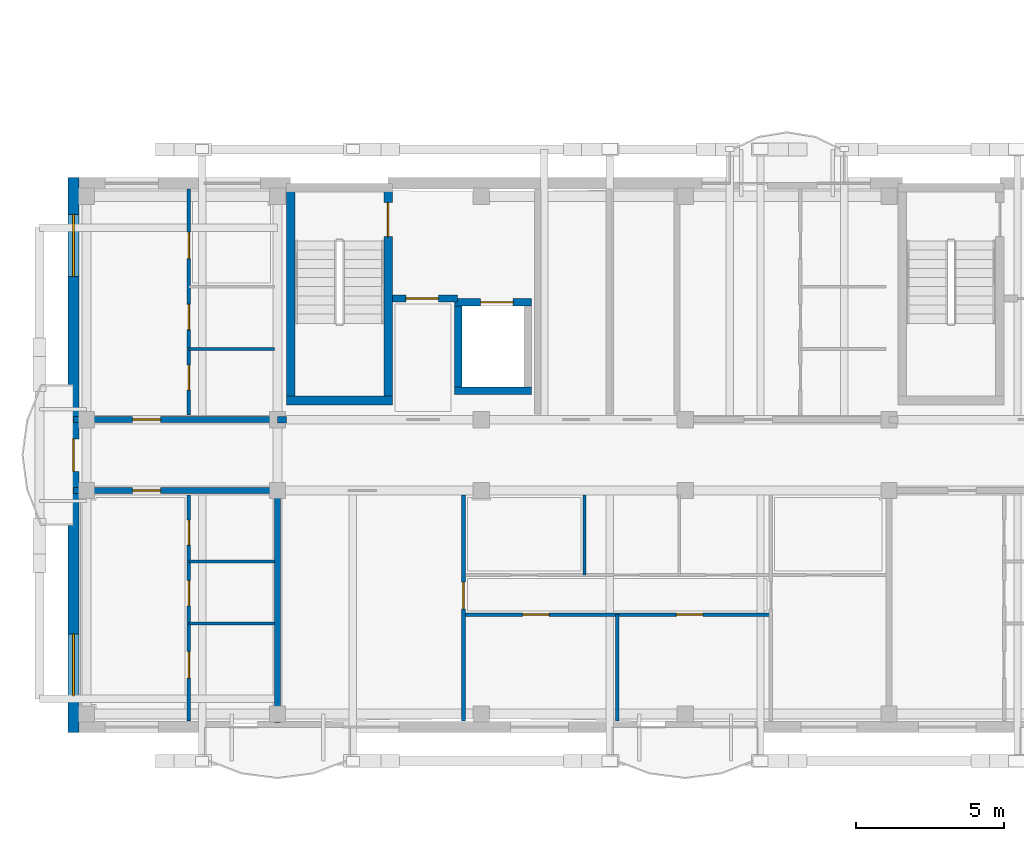
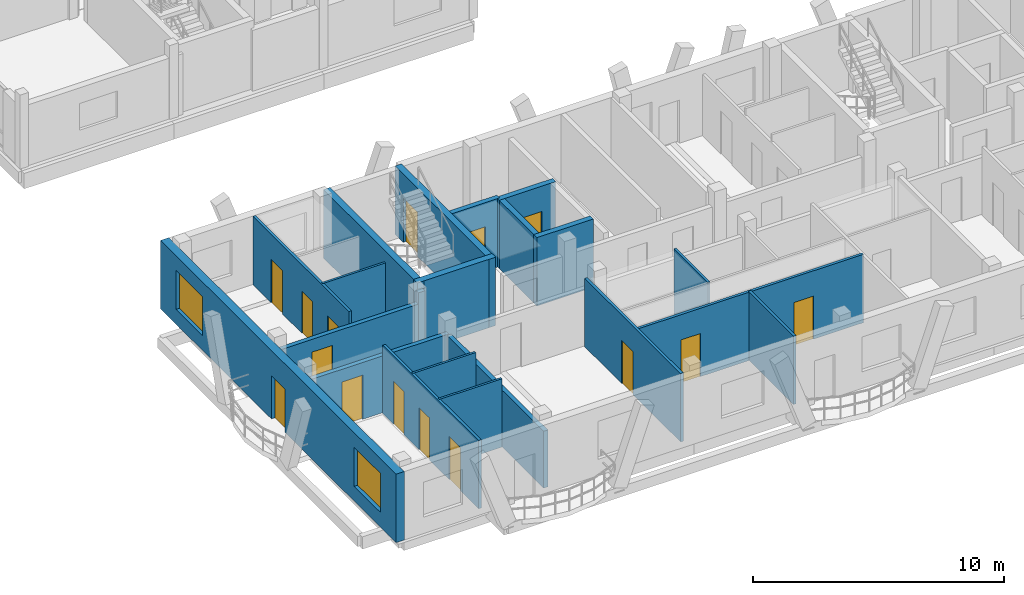
# One storey, part 141 of 189: 21 walls, 15 doors, 2 windows, 17 openings.
"""IFC4 building model written with IfcOpenShell, lengths in metres."""

from ifc_helpers import new_model, si_unit, direction, frame, frame_2d, origin, origin_with_axes, place, context, subcontext, project, spatial, rectangle, extrude, material, layer, layer_set, type_object, element, fill, save


model = new_model("IFC4")

# Units and contexts
model_context = context("Model", 3, precision=1e-05, world=origin(), true_north=direction((0.0, 1.0)))
body_context = subcontext(model_context, "Body", "Model", "MODEL_VIEW")
ifc_project = project(units=[si_unit("LENGTHUNIT", "METRE"), si_unit("AREAUNIT", "SQUARE_METRE"), si_unit("VOLUMEUNIT", "CUBIC_METRE"), si_unit("PLANEANGLEUNIT", "RADIAN"), si_unit("MASSUNIT", "GRAM", prefix="KILO")], contexts=[model_context])

# Site, building, storey
site_placement = place(None, origin())
site = spatial("IfcSite", under=ifc_project, at=site_placement, CompositionType="ELEMENT")
building_placement = place(site_placement, origin())
building = spatial("IfcBuilding", under=site, at=building_placement, Name="Zavelmont Quarter", CompositionType="ELEMENT")
storey_placement = place(building_placement, frame((0.0, 0.0, 4.39990234375)))
storey = spatial("IfcBuildingStorey", under=building, at=storey_placement, Name="L01", CompositionType="ELEMENT", Elevation=4.39990234375)

# Wall, openings, door, windows
ifc_material_1 = material(Name="Natural Belgian limestone", Category="masonry")
ifc_layer_1 = layer(ifc_material_1, 0.3798828125)
ifc_layer_set_1 = layer_set([ifc_layer_1], Name="Natural Belgian limestone")
wall_type_1 = type_object("IfcWallType", Name="EW01", PredefinedType="STANDARD", material=ifc_layer_set_1)
wall_1_placement = place(storey_placement, frame((0.0, -0.18994140625, 0.0), z_axis=(0.0, 0.0, 1.0), x_axis=(0.0, 1.0, 0.0)))
wall_1 = element("IfcWall", 1, at=wall_1_placement, inside=storey, type_object=wall_type_1, Name="L01 exterior limestone wall EW01", PredefinedType="STANDARD", context=body_context, shape_type="SweptSolid", body=[
    extrude(rectangle(XDim=18.780029296875, YDim=0.3798828125, at=frame_2d((9.39013671875, 0.0))), origin(), (0.0, 0.0, 1.0), 3.330078125),
])
opening_1_placement = place(wall_1_placement, frame((8.840087890625, 0.0, 0.0)))
opening_1 = element("IfcOpeningElement", 2, at=opening_1_placement, cuts=wall_1, Name="Opening DR04B", PredefinedType="OPENING", context=body_context, shape_type="SweptSolid", body=[
    extrude(rectangle(XDim=1.10009765625, YDim=2.10009765625, at=frame_2d((0.550048828125, 1.050048828125))), frame((0.0, 0.201904296875, 0.0), z_axis=(0.0, -1.0, 0.0), x_axis=(1.0, 0.0, 0.0)), (0.0, 0.0, 1.0), 0.40380859375),
])
opening_2_placement = place(wall_1_placement, frame((1.239990234375, 0.0, 0.719970703125)))
opening_2 = element("IfcOpeningElement", 3, at=opening_2_placement, cuts=wall_1, Name="Opening WN05", PredefinedType="OPENING", context=body_context, shape_type="SweptSolid", body=[
    extrude(rectangle(XDim=2.10009765625, YDim=1.89990234375, at=frame_2d((1.050048828125, 0.949951171875))), frame((0.0, 0.201904296875, 0.0), z_axis=(0.0, -1.0, 0.0), x_axis=(1.0, 0.0, 0.0)), (0.0, 0.0, 1.0), 0.40380859375),
])
opening_3_placement = place(wall_1_placement, frame((15.43994140625, 0.0, 0.719970703125)))
opening_3 = element("IfcOpeningElement", 4, at=opening_3_placement, cuts=wall_1, Name="Opening WN05", PredefinedType="OPENING", context=body_context, shape_type="SweptSolid", body=[
    extrude(rectangle(XDim=2.10009765625, YDim=1.89990234375, at=frame_2d((1.050048828125, 0.949951171875))), frame((0.0, 0.201904296875, 0.0), z_axis=(0.0, -1.0, 0.0), x_axis=(1.0, 0.0, 0.0)), (0.0, 0.0, 1.0), 0.40380859375),
])
ifc_material_2 = material(Name="Thermally broken aluminium and double safety glass", Category="aluminium")
door_type_1 = type_object("IfcDoorType", Name="DR04B", OperationType="NOTDEFINED", PredefinedType="DOOR", material=ifc_material_2)
door_1_placement = place(opening_1_placement, frame((1.10009765625, 0.0, 0.0), z_axis=(0.0, 0.0, 1.0), x_axis=(-1.0, 0.0, 0.0)))
door_1 = element("IfcDoor", 5, at=door_1_placement, inside=storey, type_object=door_type_1, Name="Block A L01 terrace or vase balcony door", OperationType="SINGLE_SWING_LEFT", OverallHeight=2.10009765625, OverallWidth=1.10009765625, PredefinedType="DOOR", context=body_context, shape_type="SweptSolid", body=[
    extrude(rectangle(XDim=1.10009765625, YDim=2.10009765625, at=frame_2d((0.550048828125, 1.050048828125))), frame((0.0, 0.02490234375, 0.0), z_axis=(0.0, -1.0, 0.0), x_axis=(1.0, 0.0, 0.0)), (0.0, 0.0, 1.0), 0.050048828125),
])
fill(opening_1, door_1)
ifc_material_3 = material(Name="Double low-E insulated glazing in thermally broken aluminium frame", Category="aluminium")
window_type = type_object("IfcWindowType", Name="WN05", PartitioningType="SINGLE_PANEL", PredefinedType="WINDOW", material=ifc_material_3)
window_1_placement = place(opening_2_placement, origin_with_axes())
window_1 = element("IfcWindow", 6, at=window_1_placement, inside=storey, type_object=window_type, Name="L01 window WN05", OverallHeight=1.89990234375, OverallWidth=2.10009765625, PartitioningType="SINGLE_PANEL", PredefinedType="WINDOW", context=body_context, shape_type="SweptSolid", body=[
    extrude(rectangle(XDim=2.10009765625, YDim=1.89990234375, at=frame_2d((1.050048828125, 0.949951171875))), frame((0.0, 0.030029296875, 0.0), z_axis=(0.0, -1.0, 0.0), x_axis=(1.0, 0.0, 0.0)), (0.0, 0.0, 1.0), 0.06005859375),
])
fill(opening_2, window_1)
window_2_placement = place(opening_3_placement, origin_with_axes())
window_2 = element("IfcWindow", 7, at=window_2_placement, inside=storey, type_object=window_type, Name="L01 window WN05", OverallHeight=1.89990234375, OverallWidth=2.10009765625, PartitioningType="SINGLE_PANEL", PredefinedType="WINDOW", context=body_context, shape_type="SweptSolid", body=[
    extrude(rectangle(XDim=2.10009765625, YDim=1.89990234375, at=frame_2d((1.050048828125, 0.949951171875))), frame((0.0, 0.030029296875, 0.0), z_axis=(0.0, -1.0, 0.0), x_axis=(1.0, 0.0, 0.0)), (0.0, 0.0, 1.0), 0.06005859375),
])
fill(opening_3, window_2)

# Wall
ifc_material_4 = material(Name="Calcium-silicate blockwork and acoustic plaster", Category="masonry")
ifc_layer_2 = layer(ifc_material_4, 0.199951171875)
ifc_layer_set_2 = layer_set([ifc_layer_2], Name="Calcium-silicate blockwork and acoustic plaster")
wall_type_2 = type_object("IfcWallType", Name="IW01", PredefinedType="PARTITIONING", material=ifc_layer_set_2)
wall_2_placement = place(storey_placement, frame((6.89990234375, 7.85009765625, 0.0), z_axis=(0.0, 0.0, 1.0), x_axis=(0.0, -1.0, 0.0)))
element("IfcWall", 8, at=wall_2_placement, inside=storey, type_object=wall_type_2, Name="L01 Inter-dwelling compartment wall IW01", PredefinedType="PARTITIONING", context=body_context, shape_type="SweptSolid", body=[
    extrude(rectangle(XDim=7.7001953125, YDim=0.199951171875, at=frame_2d((3.85009765625, 0.0))), origin(), (0.0, 0.0, 1.0), 2.77001953125),
])

# Wall, opening, door
wall_3_placement = place(storey_placement, frame((0.0, 8.0, 0.0), z_axis=(0.0, 0.0, 1.0), x_axis=(1.0, 0.0, 0.0)))
wall_3 = element("IfcWall", 9, at=wall_3_placement, inside=storey, type_object=wall_type_2, Name="L01 Corridor compartment wall IW01", PredefinedType="PARTITIONING", context=body_context, shape_type="SweptSolid", body=[
    extrude(rectangle(XDim=6.89990234375, YDim=0.199951171875, at=frame_2d((3.449951171875, 0.0))), origin(), (0.0, 0.0, 1.0), 2.77001953125),
])
opening_4_placement = place(wall_3_placement, frame((2.0, 0.0, 0.0)))
opening_4 = element("IfcOpeningElement", 10, at=opening_4_placement, cuts=wall_3, Name="Opening DR02", PredefinedType="OPENING", context=body_context, shape_type="SweptSolid", body=[
    extrude(rectangle(XDim=0.949951171875, YDim=2.14990234375, at=frame_2d((0.47509765625, 1.074951171875))), frame((0.0, 0.11181640625, 0.0), z_axis=(0.0, -1.0, 0.0), x_axis=(1.0, 0.0, 0.0)), (0.0, 0.0, 1.0), 0.223876953125),
])
ifc_material_5 = material(Name="Solid-core oak fire leaf in steel frame", Category="steel")
door_type_2 = type_object("IfcDoorType", Name="DR02", OperationType="NOTDEFINED", PredefinedType="DOOR", material=ifc_material_5)
door_2_placement = place(opening_4_placement, frame((0.949951171875, 0.0, 0.0), z_axis=(0.0, 0.0, 1.0), x_axis=(-1.0, 0.0, 0.0)))
door_2 = element("IfcDoor", 11, at=door_2_placement, inside=storey, type_object=door_type_2, Name="L01 door DR02", OperationType="SINGLE_SWING_LEFT", OverallHeight=2.14990234375, OverallWidth=0.949951171875, PredefinedType="DOOR", context=body_context, shape_type="SweptSolid", body=[
    extrude(rectangle(XDim=0.949951171875, YDim=2.14990234375, at=frame_2d((0.47509765625, 1.074951171875))), frame((0.0, 0.02490234375, 0.0), z_axis=(0.0, -1.0, 0.0), x_axis=(1.0, 0.0, 0.0)), (0.0, 0.0, 1.0), 0.050048828125),
])
fill(opening_4, door_2)

wall_4_placement = place(storey_placement, frame((0.0, 10.39990234375, 0.0), z_axis=(0.0, 0.0, 1.0), x_axis=(1.0, 0.0, 0.0)))
wall_4 = element("IfcWall", 12, at=wall_4_placement, inside=storey, type_object=wall_type_2, Name="L01 Corridor compartment wall IW01", PredefinedType="PARTITIONING", context=body_context, shape_type="SweptSolid", body=[
    extrude(rectangle(XDim=6.89990234375, YDim=0.199951171875, at=frame_2d((3.449951171875, 0.0))), origin(), (0.0, 0.0, 1.0), 2.77001953125),
])
opening_5_placement = place(wall_4_placement, frame((2.0, 0.0, 0.0)))
opening_5 = element("IfcOpeningElement", 13, at=opening_5_placement, cuts=wall_4, Name="Opening DR02", PredefinedType="OPENING", context=body_context, shape_type="SweptSolid", body=[
    extrude(rectangle(XDim=0.949951171875, YDim=2.14990234375, at=frame_2d((0.47509765625, 1.074951171875))), frame((0.0, 0.11181640625, 0.0), z_axis=(0.0, -1.0, 0.0), x_axis=(1.0, 0.0, 0.0)), (0.0, 0.0, 1.0), 0.223876953125),
])
door_3_placement = place(opening_5_placement, origin_with_axes())
door_3 = element("IfcDoor", 14, at=door_3_placement, inside=storey, type_object=door_type_2, Name="L01 door DR02", OperationType="SINGLE_SWING_RIGHT", OverallHeight=2.14990234375, OverallWidth=0.949951171875, PredefinedType="DOOR", context=body_context, shape_type="SweptSolid", body=[
    extrude(rectangle(XDim=0.949951171875, YDim=2.14990234375, at=frame_2d((0.47509765625, 1.074951171875))), frame((0.0, 0.02490234375, 0.0), z_axis=(0.0, -1.0, 0.0), x_axis=(1.0, 0.0, 0.0)), (0.0, 0.0, 1.0), 0.050048828125),
])
fill(opening_5, door_3)

ifc_material_6 = material(Name="Reinforced masonry fire compartment wall", Category="masonry")
ifc_layer_3 = layer(ifc_material_6, 0.22509765625)
ifc_layer_set_3 = layer_set([ifc_layer_3], Name="Reinforced masonry fire compartment wall")
wall_type_3 = type_object("IfcWallType", Name="IW02", PredefinedType="PARTITIONING", material=ifc_layer_set_3)
wall_5_placement = place(storey_placement, frame((10.800048828125, 14.5, 0.0), z_axis=(0.0, 0.0, 1.0), x_axis=(1.0, 0.0, 0.0)))
wall_5 = element("IfcWall", 15, at=wall_5_placement, inside=storey, type_object=wall_type_3, Name="L01 Firefighting lobby threshold wall IW02", PredefinedType="PARTITIONING", context=body_context, shape_type="SweptSolid", body=[
    extrude(rectangle(XDim=2.199951171875, YDim=0.22509765625, at=frame_2d((1.10009765625, 0.0))), origin(), (0.0, 0.0, 1.0), 3.330078125),
])
opening_6_placement = place(wall_5_placement, frame((0.449951171875, 0.0, 0.0)))
opening_6 = element("IfcOpeningElement", 16, at=opening_6_placement, cuts=wall_5, Name="Opening DR10", PredefinedType="OPENING", context=body_context, shape_type="SweptSolid", body=[
    extrude(rectangle(XDim=1.10009765625, YDim=2.14990234375, at=frame_2d((0.550048828125, 1.074951171875))), frame((0.0, 0.12451171875, 0.0), z_axis=(0.0, -1.0, 0.0), x_axis=(1.0, 0.0, 0.0)), (0.0, 0.0, 1.0), 0.2490234375),
])
ifc_material_7 = material(Name="Painted steel lobby fire door", Category="steel")
door_type_3 = type_object("IfcDoorType", Name="DR10", OperationType="NOTDEFINED", PredefinedType="DOOR", material=ifc_material_7)
door_4_placement = place(opening_6_placement, origin_with_axes())
door_4 = element("IfcDoor", 17, at=door_4_placement, inside=storey, type_object=door_type_3, Name="Firefighting lobby fire door", OperationType="SINGLE_SWING_LEFT", OverallHeight=2.14990234375, OverallWidth=1.10009765625, PredefinedType="DOOR", context=body_context, shape_type="SweptSolid", body=[
    extrude(rectangle(XDim=1.10009765625, YDim=2.14990234375, at=frame_2d((0.550048828125, 1.074951171875))), frame((0.0, 0.02490234375, 0.0), z_axis=(0.0, -1.0, 0.0), x_axis=(1.0, 0.0, 0.0)), (0.0, 0.0, 1.0), 0.050048828125),
])
fill(opening_6, door_4)

# Wall
wall_6_placement = place(storey_placement, frame((6.89990234375, 10.39990234375, 0.0), z_axis=(0.0, 0.0, 1.0), x_axis=(1.0, 0.0, 0.0)))
element("IfcWall", 18, at=wall_6_placement, inside=storey, type_object=wall_type_3, Name="L01 Core corridor wall IW02", PredefinedType="PARTITIONING", context=body_context, shape_type="SweptSolid", body=[
    extrude(rectangle(XDim=0.300048828125, YDim=0.22509765625, at=frame_2d((0.14990234375, 0.0))), origin(), (0.0, 0.0, 1.0), 3.330078125),
])

# Wall, openings, doors
ifc_material_8 = material(Name="Double gypsum board on acoustic steel stud", Category="steel")
ifc_layer_4 = layer(ifc_material_8, 0.125)
ifc_layer_set_4 = layer_set([ifc_layer_4], Name="Double gypsum board on acoustic steel stud")
wall_type_4 = type_object("IfcWallType", Name="IW03", PredefinedType="PARTITIONING", material=ifc_layer_set_4)
wall_7_placement = place(storey_placement, frame((3.89990234375, 7.85009765625, 0.0), z_axis=(0.0, 0.0, 1.0), x_axis=(0.0, -1.0, 0.0)))
wall_7 = element("IfcWall", 19, at=wall_7_placement, inside=storey, type_object=wall_type_4, Name="L01 Partition IW03", PredefinedType="PARTITIONING", context=body_context, shape_type="SweptSolid", body=[
    extrude(rectangle(XDim=7.650146484375, YDim=0.125, at=frame_2d((3.8251953125, 0.0))), origin(), (0.0, 0.0, 1.0), 3.330078125),
])
opening_7_placement = place(wall_7_placement, frame((0.85009765625, 0.0, 0.0)))
opening_7 = element("IfcOpeningElement", 20, at=opening_7_placement, cuts=wall_7, Name="Opening DR16", PredefinedType="OPENING", context=body_context, shape_type="SweptSolid", body=[
    extrude(rectangle(XDim=0.85009765625, YDim=2.10009765625, at=frame_2d((0.425048828125, 1.050048828125))), frame((0.0, 0.074462890625, 0.0), z_axis=(0.0, -1.0, 0.0), x_axis=(1.0, 0.0, 0.0)), (0.0, 0.0, 1.0), 0.14892578125),
])
opening_8_placement = place(wall_7_placement, frame((2.89990234375, 0.0, 0.0)))
opening_8 = element("IfcOpeningElement", 21, at=opening_8_placement, cuts=wall_7, Name="Opening DR06", PredefinedType="OPENING", context=body_context, shape_type="SweptSolid", body=[
    extrude(rectangle(XDim=0.85009765625, YDim=2.050048828125, at=frame_2d((0.425048828125, 1.02490234375))), frame((0.0, 0.074462890625, 0.0), z_axis=(0.0, -1.0, 0.0), x_axis=(1.0, 0.0, 0.0)), (0.0, 0.0, 1.0), 0.14892578125),
])
opening_9_placement = place(wall_7_placement, frame((5.300048828125, 0.0, 0.0)))
opening_9 = element("IfcOpeningElement", 22, at=opening_9_placement, cuts=wall_7, Name="Opening DR05", PredefinedType="OPENING", context=body_context, shape_type="SweptSolid", body=[
    extrude(rectangle(XDim=0.89990234375, YDim=2.10009765625, at=frame_2d((0.449951171875, 1.050048828125))), frame((0.0, 0.074462890625, 0.0), z_axis=(0.0, -1.0, 0.0), x_axis=(1.0, 0.0, 0.0)), (0.0, 0.0, 1.0), 0.14892578125),
])
ifc_material_9 = material(Name="Engineered oak flush interior door")
door_type_4 = type_object("IfcDoorType", Name="DR05", OperationType="NOTDEFINED", PredefinedType="DOOR", material=ifc_material_9)
door_5_placement = place(opening_9_placement, origin_with_axes())
door_5 = element("IfcDoor", 23, at=door_5_placement, inside=storey, type_object=door_type_4, Name="L01 door DR05", OperationType="SINGLE_SWING_LEFT", OverallHeight=2.10009765625, OverallWidth=0.89990234375, PredefinedType="DOOR", context=body_context, shape_type="SweptSolid", body=[
    extrude(rectangle(XDim=0.89990234375, YDim=2.10009765625, at=frame_2d((0.449951171875, 1.050048828125))), frame((0.0, 0.02490234375, 0.0), z_axis=(0.0, -1.0, 0.0), x_axis=(1.0, 0.0, 0.0)), (0.0, 0.0, 1.0), 0.050048828125),
])
fill(opening_9, door_5)
ifc_material_10 = material(Name="Moisture-resistant painted wet-room door")
door_type_5 = type_object("IfcDoorType", Name="DR06", OperationType="NOTDEFINED", PredefinedType="DOOR", material=ifc_material_10)
door_6_placement = place(opening_8_placement, frame((0.85009765625, 0.0, 0.0), z_axis=(0.0, 0.0, 1.0), x_axis=(-1.0, 0.0, 0.0)))
door_6 = element("IfcDoor", 24, at=door_6_placement, inside=storey, type_object=door_type_5, Name="L01 door DR06", OperationType="SINGLE_SWING_RIGHT", OverallHeight=2.050048828125, OverallWidth=0.85009765625, PredefinedType="DOOR", context=body_context, shape_type="SweptSolid", body=[
    extrude(rectangle(XDim=0.85009765625, YDim=2.050048828125, at=frame_2d((0.425048828125, 1.02490234375))), frame((0.0, 0.02490234375, 0.0), z_axis=(0.0, -1.0, 0.0), x_axis=(1.0, 0.0, 0.0)), (0.0, 0.0, 1.0), 0.050048828125),
])
fill(opening_8, door_6)
door_type_6 = type_object("IfcDoorType", Name="DR16", OperationType="NOTDEFINED", PredefinedType="DOOR", material=ifc_material_9)
door_7_placement = place(opening_7_placement, origin_with_axes())
door_7 = element("IfcDoor", 25, at=door_7_placement, inside=storey, type_object=door_type_6, Name="L01 door DR16", OperationType="SINGLE_SWING_LEFT", OverallHeight=2.10009765625, OverallWidth=0.85009765625, PredefinedType="DOOR", context=body_context, shape_type="SweptSolid", body=[
    extrude(rectangle(XDim=0.85009765625, YDim=2.10009765625, at=frame_2d((0.425048828125, 1.050048828125))), frame((0.0, 0.02490234375, 0.0), z_axis=(0.0, -1.0, 0.0), x_axis=(1.0, 0.0, 0.0)), (0.0, 0.0, 1.0), 0.050048828125),
])
fill(opening_7, door_7)

# Wall, opening, door
wall_8_placement = place(storey_placement, frame((13.199951171875, 7.85009765625, 0.0), z_axis=(0.0, 0.0, 1.0), x_axis=(0.0, -1.0, 0.0)))
wall_8 = element("IfcWall", 26, at=wall_8_placement, inside=storey, type_object=wall_type_4, Name="L01 Partition IW03", PredefinedType="PARTITIONING", context=body_context, shape_type="SweptSolid", body=[
    extrude(rectangle(XDim=7.650146484375, YDim=0.125, at=frame_2d((3.8251953125, 0.0))), origin(), (0.0, 0.0, 1.0), 3.330078125),
])
opening_10_placement = place(wall_8_placement, frame((2.949951171875, 0.0, 0.0)))
opening_10 = element("IfcOpeningElement", 27, at=opening_10_placement, cuts=wall_8, Name="Opening DR05", PredefinedType="OPENING", context=body_context, shape_type="SweptSolid", body=[
    extrude(rectangle(XDim=0.89990234375, YDim=2.10009765625, at=frame_2d((0.449951171875, 1.050048828125))), frame((0.0, 0.074462890625, 0.0), z_axis=(0.0, -1.0, 0.0), x_axis=(1.0, 0.0, 0.0)), (0.0, 0.0, 1.0), 0.14892578125),
])
door_8_placement = place(opening_10_placement, origin_with_axes())
door_8 = element("IfcDoor", 28, at=door_8_placement, inside=storey, type_object=door_type_4, Name="L01 door DR05", OperationType="SINGLE_SWING_RIGHT", OverallHeight=2.10009765625, OverallWidth=0.89990234375, PredefinedType="DOOR", context=body_context, shape_type="SweptSolid", body=[
    extrude(rectangle(XDim=0.89990234375, YDim=2.10009765625, at=frame_2d((0.449951171875, 1.050048828125))), frame((0.0, 0.02490234375, 0.0), z_axis=(0.0, -1.0, 0.0), x_axis=(1.0, 0.0, 0.0)), (0.0, 0.0, 1.0), 0.050048828125),
])
fill(opening_10, door_8)

# Wall
wall_9_placement = place(storey_placement, frame((18.39990234375, 3.800048828125, 0.0), z_axis=(0.0, 0.0, 1.0), x_axis=(0.0, -1.0, 0.0)))
element("IfcWall", 29, at=wall_9_placement, inside=storey, type_object=wall_type_4, Name="L01 Partition IW03", PredefinedType="PARTITIONING", context=body_context, shape_type="SweptSolid", body=[
    extrude(rectangle(XDim=3.60009765625, YDim=0.125, at=frame_2d((1.800048828125, 0.0))), origin(), (0.0, 0.0, 1.0), 3.330078125),
])

# Wall, openings, doors
wall_10_placement = place(storey_placement, frame((13.199951171875, 3.800048828125, 0.0), z_axis=(0.0, 0.0, 1.0), x_axis=(1.0, 0.0, 0.0)))
wall_10 = element("IfcWall", 30, at=wall_10_placement, inside=storey, type_object=wall_type_4, Name="L01 Partition IW03", PredefinedType="PARTITIONING", context=body_context, shape_type="SweptSolid", body=[
    extrude(rectangle(XDim=10.400146484375, YDim=0.125, at=frame_2d((5.2001953125, 0.0))), origin(), (0.0, 0.0, 1.0), 3.330078125),
])
opening_11_placement = place(wall_10_placement, frame((2.0, 0.0, 0.0)))
opening_11 = element("IfcOpeningElement", 31, at=opening_11_placement, cuts=wall_10, Name="Opening DR05", PredefinedType="OPENING", context=body_context, shape_type="SweptSolid", body=[
    extrude(rectangle(XDim=0.89990234375, YDim=2.10009765625, at=frame_2d((0.449951171875, 1.050048828125))), frame((0.0, 0.074462890625, 0.0), z_axis=(0.0, -1.0, 0.0), x_axis=(1.0, 0.0, 0.0)), (0.0, 0.0, 1.0), 0.14892578125),
])
opening_12_placement = place(wall_10_placement, frame((7.199951171875, 0.0, 0.0)))
opening_12 = element("IfcOpeningElement", 32, at=opening_12_placement, cuts=wall_10, Name="Opening DR05", PredefinedType="OPENING", context=body_context, shape_type="SweptSolid", body=[
    extrude(rectangle(XDim=0.89990234375, YDim=2.10009765625, at=frame_2d((0.449951171875, 1.050048828125))), frame((0.0, 0.074462890625, 0.0), z_axis=(0.0, -1.0, 0.0), x_axis=(1.0, 0.0, 0.0)), (0.0, 0.0, 1.0), 0.14892578125),
])
door_9_placement = place(opening_11_placement, origin_with_axes())
door_9 = element("IfcDoor", 33, at=door_9_placement, inside=storey, type_object=door_type_4, Name="L01 door DR05", OperationType="SINGLE_SWING_RIGHT", OverallHeight=2.10009765625, OverallWidth=0.89990234375, PredefinedType="DOOR", context=body_context, shape_type="SweptSolid", body=[
    extrude(rectangle(XDim=0.89990234375, YDim=2.10009765625, at=frame_2d((0.449951171875, 1.050048828125))), frame((0.0, 0.02490234375, 0.0), z_axis=(0.0, -1.0, 0.0), x_axis=(1.0, 0.0, 0.0)), (0.0, 0.0, 1.0), 0.050048828125),
])
fill(opening_11, door_9)
door_10_placement = place(opening_12_placement, frame((0.89990234375, 0.0, 0.0), z_axis=(0.0, 0.0, 1.0), x_axis=(-1.0, 0.0, 0.0)))
door_10 = element("IfcDoor", 34, at=door_10_placement, inside=storey, type_object=door_type_4, Name="L01 door DR05", OperationType="SINGLE_SWING_LEFT", OverallHeight=2.10009765625, OverallWidth=0.89990234375, PredefinedType="DOOR", context=body_context, shape_type="SweptSolid", body=[
    extrude(rectangle(XDim=0.89990234375, YDim=2.10009765625, at=frame_2d((0.449951171875, 1.050048828125))), frame((0.0, 0.02490234375, 0.0), z_axis=(0.0, -1.0, 0.0), x_axis=(1.0, 0.0, 0.0)), (0.0, 0.0, 1.0), 0.050048828125),
])
fill(opening_12, door_10)

wall_11_placement = place(storey_placement, frame((3.89990234375, 10.550048828125, 0.0), z_axis=(0.0, 0.0, 1.0), x_axis=(0.0, 1.0, 0.0)))
wall_11 = element("IfcWall", 35, at=wall_11_placement, inside=storey, type_object=wall_type_4, Name="L01 Partition IW03", PredefinedType="PARTITIONING", context=body_context, shape_type="SweptSolid", body=[
    extrude(rectangle(XDim=7.64990234375, YDim=0.125, at=frame_2d((3.824951171875, 0.0))), origin(), (0.0, 0.0, 1.0), 3.330078125),
])
opening_13_placement = place(wall_11_placement, frame((0.85009765625, 0.0, 0.0)))
opening_13 = element("IfcOpeningElement", 36, at=opening_13_placement, cuts=wall_11, Name="Opening DR16", PredefinedType="OPENING", context=body_context, shape_type="SweptSolid", body=[
    extrude(rectangle(XDim=0.85009765625, YDim=2.10009765625, at=frame_2d((0.425048828125, 1.050048828125))), frame((0.0, 0.074462890625, 0.0), z_axis=(0.0, -1.0, 0.0), x_axis=(1.0, 0.0, 0.0)), (0.0, 0.0, 1.0), 0.14892578125),
])
opening_14_placement = place(wall_11_placement, frame((2.89990234375, 0.0, 0.0)))
opening_14 = element("IfcOpeningElement", 37, at=opening_14_placement, cuts=wall_11, Name="Opening DR06", PredefinedType="OPENING", context=body_context, shape_type="SweptSolid", body=[
    extrude(rectangle(XDim=0.85009765625, YDim=2.050048828125, at=frame_2d((0.425048828125, 1.02490234375))), frame((0.0, 0.074462890625, 0.0), z_axis=(0.0, -1.0, 0.0), x_axis=(1.0, 0.0, 0.0)), (0.0, 0.0, 1.0), 0.14892578125),
])
opening_15_placement = place(wall_11_placement, frame((5.300048828125, 0.0, 0.0)))
opening_15 = element("IfcOpeningElement", 38, at=opening_15_placement, cuts=wall_11, Name="Opening DR05", PredefinedType="OPENING", context=body_context, shape_type="SweptSolid", body=[
    extrude(rectangle(XDim=0.89990234375, YDim=2.10009765625, at=frame_2d((0.449951171875, 1.050048828125))), frame((0.0, 0.074462890625, 0.0), z_axis=(0.0, -1.0, 0.0), x_axis=(1.0, 0.0, 0.0)), (0.0, 0.0, 1.0), 0.14892578125),
])
door_11_placement = place(opening_15_placement, frame((0.89990234375, 0.0, 0.0), z_axis=(0.0, 0.0, 1.0), x_axis=(-1.0, 0.0, 0.0)))
door_11 = element("IfcDoor", 39, at=door_11_placement, inside=storey, type_object=door_type_4, Name="L01 door DR05", OperationType="SINGLE_SWING_RIGHT", OverallHeight=2.10009765625, OverallWidth=0.89990234375, PredefinedType="DOOR", context=body_context, shape_type="SweptSolid", body=[
    extrude(rectangle(XDim=0.89990234375, YDim=2.10009765625, at=frame_2d((0.449951171875, 1.050048828125))), frame((0.0, 0.02490234375, 0.0), z_axis=(0.0, -1.0, 0.0), x_axis=(1.0, 0.0, 0.0)), (0.0, 0.0, 1.0), 0.050048828125),
])
fill(opening_15, door_11)
door_12_placement = place(opening_14_placement, origin_with_axes())
door_12 = element("IfcDoor", 40, at=door_12_placement, inside=storey, type_object=door_type_5, Name="L01 door DR06", OperationType="SINGLE_SWING_LEFT", OverallHeight=2.050048828125, OverallWidth=0.85009765625, PredefinedType="DOOR", context=body_context, shape_type="SweptSolid", body=[
    extrude(rectangle(XDim=0.85009765625, YDim=2.050048828125, at=frame_2d((0.425048828125, 1.02490234375))), frame((0.0, 0.02490234375, 0.0), z_axis=(0.0, -1.0, 0.0), x_axis=(1.0, 0.0, 0.0)), (0.0, 0.0, 1.0), 0.050048828125),
])
fill(opening_14, door_12)
door_13_placement = place(opening_13_placement, frame((0.85009765625, 0.0, 0.0), z_axis=(0.0, 0.0, 1.0), x_axis=(-1.0, 0.0, 0.0)))
door_13 = element("IfcDoor", 41, at=door_13_placement, inside=storey, type_object=door_type_6, Name="L01 door DR16", OperationType="SINGLE_SWING_RIGHT", OverallHeight=2.10009765625, OverallWidth=0.85009765625, PredefinedType="DOOR", context=body_context, shape_type="SweptSolid", body=[
    extrude(rectangle(XDim=0.85009765625, YDim=2.10009765625, at=frame_2d((0.425048828125, 1.050048828125))), frame((0.0, 0.02490234375, 0.0), z_axis=(0.0, -1.0, 0.0), x_axis=(1.0, 0.0, 0.0)), (0.0, 0.0, 1.0), 0.050048828125),
])
fill(opening_13, door_13)

# Walls
ifc_material_11 = material(Name="Moisture-resistant gypsum board on steel stud", Category="steel")
ifc_layer_5 = layer(ifc_material_11, 0.10009765625)
ifc_layer_set_5 = layer_set([ifc_layer_5], Name="Moisture-resistant gypsum board on steel stud")
wall_type_5 = type_object("IfcWallType", Name="IW04", PredefinedType="PARTITIONING", material=ifc_layer_set_5)
for number, where, z_axis, x_axis, name in (
    (42, (3.89990234375, 5.60009765625, 0.0), (0.0, 0.0, 1.0), (1.0, 0.0, 0.0), "L01 Partition IW04"),
    (43, (3.89990234375, 3.5, 0.0), (0.0, 0.0, 1.0), (1.0, 0.0, 0.0), "L01 Partition IW04"),
):
    element("IfcWall", number, at=place(storey_placement, frame(where, z_axis=z_axis, x_axis=x_axis)), inside=storey, type_object=wall_type_5, Name=name, PredefinedType="PARTITIONING", context=body_context, shape_type="SweptSolid", body=[
        extrude(rectangle(XDim=2.900146484375, YDim=0.10009765625, at=frame_2d((1.4501953125, 0.0))), origin(), (0.0, 0.0, 1.0), 3.330078125),
    ])
wall_12_placement = place(storey_placement, frame((17.300048828125, 7.85009765625, 0.0), z_axis=(0.0, 0.0, 1.0), x_axis=(0.0, -1.0, 0.0)))
element("IfcWall", 44, at=wall_12_placement, inside=storey, type_object=wall_type_5, Name="L01 Partition IW04", PredefinedType="PARTITIONING", context=body_context, shape_type="SweptSolid", body=[
    extrude(rectangle(XDim=2.7001953125, YDim=0.10009765625, at=frame_2d((1.35009765625, 0.0))), origin(), (0.0, 0.0, 1.0), 3.330078125),
])
wall_13_placement = place(storey_placement, frame((3.89990234375, 12.800048828125, 0.0), z_axis=(0.0, 0.0, 1.0), x_axis=(1.0, 0.0, 0.0)))
element("IfcWall", 45, at=wall_13_placement, inside=storey, type_object=wall_type_5, Name="L01 Partition IW04", PredefinedType="PARTITIONING", context=body_context, shape_type="SweptSolid", body=[
    extrude(rectangle(XDim=2.900146484375, YDim=0.10009765625, at=frame_2d((1.4501953125, 0.0))), origin(), (0.0, 0.0, 1.0), 3.330078125),
])
ifc_material_12 = material(Name="Concrete C40/50", Category="concrete")
ifc_layer_6 = layer(ifc_material_12, 0.300048828125)
ifc_layer_set_6 = layer_set([ifc_layer_6], Name="Concrete C40/50")
wall_type_6 = type_object("IfcWallType", Name="SW01", PredefinedType="SHEAR", material=ifc_layer_set_6)
wall_14_placement = place(storey_placement, frame((7.199951171875, 11.050048828125, 0.0), z_axis=(0.0, 0.0, 1.0), x_axis=(1.0, 0.0, 0.0)))
element("IfcWall", 46, at=wall_14_placement, inside=storey, type_object=wall_type_6, Name="L01 ST01 corridor shear wall SW01", PredefinedType="SHEAR", context=body_context, shape_type="SweptSolid", body=[
    extrude(rectangle(XDim=3.60009765625, YDim=0.300048828125, at=frame_2d((1.800048828125, 0.0))), origin(), (0.0, 0.0, 1.0), 3.330078125),
])
wall_15_placement = place(storey_placement, frame((7.35009765625, 10.89990234375, 0.0), z_axis=(0.0, 0.0, 1.0), x_axis=(0.0, 1.0, 0.0)))
element("IfcWall", 47, at=wall_15_placement, inside=storey, type_object=wall_type_6, Name="L01 ST01 west shear wall SW01", PredefinedType="SHEAR", context=body_context, shape_type="SweptSolid", body=[
    extrude(rectangle(XDim=7.5, YDim=0.300048828125, at=frame_2d((3.75, 0.0))), origin(), (0.0, 0.0, 1.0), 3.330078125),
])

# Wall, opening, door
wall_16_placement = place(storey_placement, frame((10.64990234375, 10.89990234375, 0.0), z_axis=(0.0, 0.0, 1.0), x_axis=(0.0, 1.0, 0.0)))
wall_16 = element("IfcWall", 48, at=wall_16_placement, inside=storey, type_object=wall_type_6, Name="L01 ST01 lobby shear wall SW01", PredefinedType="SHEAR", context=body_context, shape_type="SweptSolid", body=[
    extrude(rectangle(XDim=7.5, YDim=0.300048828125, at=frame_2d((3.75, 0.0))), origin(), (0.0, 0.0, 1.0), 3.330078125),
])
opening_16_placement = place(wall_16_placement, frame((5.699951171875, 0.0, 0.0)))
opening_16 = element("IfcOpeningElement", 49, at=opening_16_placement, cuts=wall_16, Name="Opening DR09", PredefinedType="OPENING", context=body_context, shape_type="SweptSolid", body=[
    extrude(rectangle(XDim=1.14990234375, YDim=2.14990234375, at=frame_2d((0.574951171875, 1.074951171875))), frame((0.0, 0.162109375, 0.0), z_axis=(0.0, -1.0, 0.0), x_axis=(1.0, 0.0, 0.0)), (0.0, 0.0, 1.0), 0.323974609375),
])
ifc_material_13 = material(Name="Painted steel stair-core fire door", Category="steel")
door_type_7 = type_object("IfcDoorType", Name="DR09", OperationType="NOTDEFINED", PredefinedType="DOOR", material=ifc_material_13)
door_14_placement = place(opening_16_placement, origin_with_axes())
door_14 = element("IfcDoor", 50, at=door_14_placement, inside=storey, type_object=door_type_7, Name="ST01 protected stair door", OperationType="SINGLE_SWING_LEFT", OverallHeight=2.14990234375, OverallWidth=1.14990234375, PredefinedType="DOOR", context=body_context, shape_type="SweptSolid", body=[
    extrude(rectangle(XDim=1.14990234375, YDim=2.14990234375, at=frame_2d((0.574951171875, 1.074951171875))), frame((0.0, 0.02490234375, 0.0), z_axis=(0.0, -1.0, 0.0), x_axis=(1.0, 0.0, 0.0)), (0.0, 0.0, 1.0), 0.050048828125),
])
fill(opening_16, door_14)

ifc_layer_7 = layer(ifc_material_12, 0.25)
ifc_layer_set_7 = layer_set([ifc_layer_7], Name="Concrete C40/50")
wall_type_7 = type_object("IfcWallType", Name="SW02", PredefinedType="SHEAR", material=ifc_layer_set_7)
wall_17_placement = place(storey_placement, frame((12.89990234375, 14.375, 0.0), z_axis=(0.0, 0.0, 1.0), x_axis=(1.0, 0.0, 0.0)))
wall_17 = element("IfcWall", 51, at=wall_17_placement, inside=storey, type_object=wall_type_7, Name="L01 Lift FL01 landing shaft wall SW02", PredefinedType="SHEAR", context=body_context, shape_type="SweptSolid", body=[
    extrude(rectangle(XDim=2.60009765625, YDim=0.25, at=frame_2d((1.300048828125, 0.0))), origin(), (0.0, 0.0, 1.0), 3.330078125),
])
opening_17_placement = place(wall_17_placement, frame((0.875, 0.0, 0.0)))
opening_17 = element("IfcOpeningElement", 52, at=opening_17_placement, cuts=wall_17, Name="Opening LD02", PredefinedType="OPENING", context=body_context, shape_type="SweptSolid", body=[
    extrude(rectangle(XDim=1.10009765625, YDim=2.10009765625, at=frame_2d((0.550048828125, 1.050048828125))), frame((0.0, 0.136962890625, 0.0), z_axis=(0.0, -1.0, 0.0), x_axis=(1.0, 0.0, 0.0)), (0.0, 0.0, 1.0), 0.27392578125),
])
ifc_material_14 = material(Name="Brushed stainless-steel firefighting lift landing door", Category="steel")
door_type_8 = type_object("IfcDoorType", Name="LD02", OperationType="SLIDING_TO_LEFT", PredefinedType="DOOR", material=ifc_material_14)
door_15_placement = place(opening_17_placement, origin_with_axes())
door_15 = element("IfcDoor", 53, at=door_15_placement, inside=storey, type_object=door_type_8, Name="Lift FL01 sliding landing door", OperationType="SLIDING_TO_LEFT", OverallHeight=2.10009765625, OverallWidth=1.10009765625, PredefinedType="DOOR", context=body_context, shape_type="SweptSolid", body=[
    extrude(rectangle(XDim=1.10009765625, YDim=2.10009765625, at=frame_2d((0.550048828125, 1.050048828125))), frame((0.0, 0.02490234375, 0.0), z_axis=(0.0, -1.0, 0.0), x_axis=(1.0, 0.0, 0.0)), (0.0, 0.0, 1.0), 0.050048828125),
])
fill(opening_17, door_15)

# Walls
wall_18_placement = place(storey_placement, frame((12.89990234375, 11.375, 0.0), z_axis=(0.0, 0.0, 1.0), x_axis=(1.0, 0.0, 0.0)))
element("IfcWall", 54, at=wall_18_placement, inside=storey, type_object=wall_type_7, Name="L01 Lift FL01 back shaft wall SW02", PredefinedType="SHEAR", context=body_context, shape_type="SweptSolid", body=[
    extrude(rectangle(XDim=2.60009765625, YDim=0.25, at=frame_2d((1.300048828125, 0.0))), origin(), (0.0, 0.0, 1.0), 3.330078125),
])
wall_19_placement = place(storey_placement, frame((13.02490234375, 11.25, 0.0), z_axis=(0.0, 0.0, 1.0), x_axis=(0.0, 1.0, 0.0)))
element("IfcWall", 55, at=wall_19_placement, inside=storey, type_object=wall_type_7, Name="L01 Lift FL01 west shaft wall SW02", PredefinedType="SHEAR", context=body_context, shape_type="SweptSolid", body=[
    extrude(rectangle(XDim=3.25, YDim=0.25, at=frame_2d((1.625, 0.0))), origin(), (0.0, 0.0, 1.0), 3.330078125),
])

save(model, "model.ifc")
